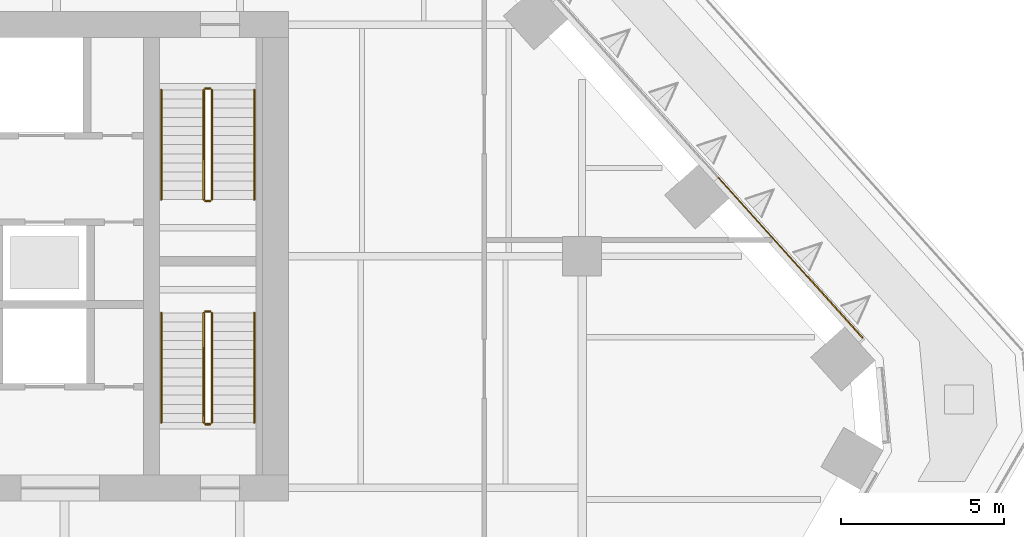
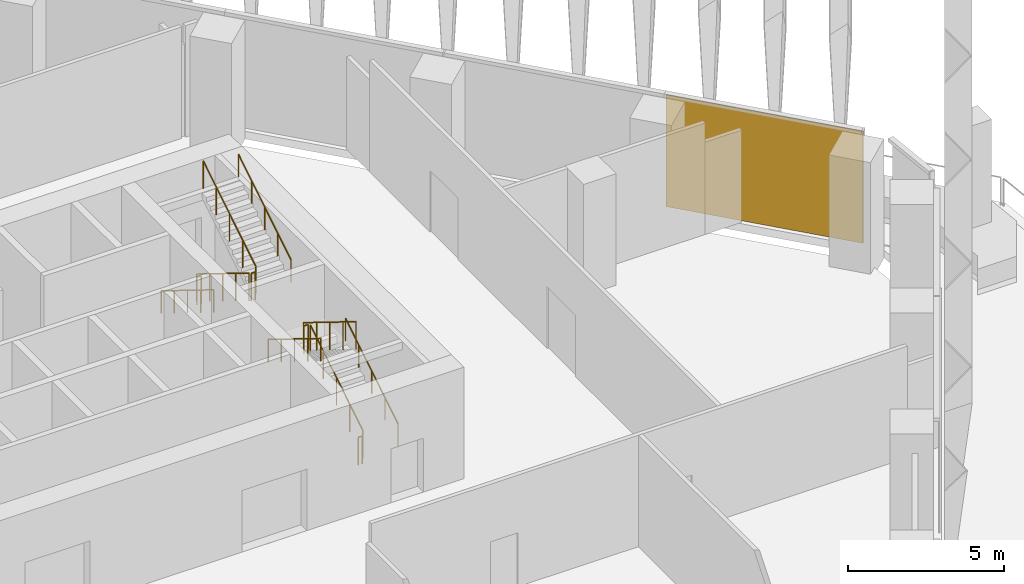
# One storey, part 22 of 27: 12 railings, 1 covering, 1 element without a shape of its own.
"""IFC4 building model written with IfcOpenShell, lengths in metres."""

from ifc_helpers import new_model, si_unit, direction, frame, origin, origin_2d, place, context, subcontext, project, spatial, rectangle, circle, extrude, material, layer, layer_set, type_object, element, aggregate, save


model = new_model("IFC4")

# Units and contexts
model_context = context("Model", 3, precision=1e-05, world=origin(), true_north=direction((0.0, 1.0)))
body_context = subcontext(model_context, "Body", "Model", "MODEL_VIEW")
ifc_project = project(units=[si_unit("LENGTHUNIT", "METRE"), si_unit("AREAUNIT", "SQUARE_METRE"), si_unit("VOLUMEUNIT", "CUBIC_METRE"), si_unit("PLANEANGLEUNIT", "RADIAN"), si_unit("MASSUNIT", "GRAM", prefix="KILO")], contexts=[model_context])

# Site, building, storey
site_placement = place(None, origin())
site = spatial("IfcSite", under=ifc_project, at=site_placement, CompositionType="ELEMENT")
building_placement = place(site_placement, origin())
building = spatial("IfcBuilding", under=site, at=building_placement, Name="Isthmus Gate Tower", CompositionType="ELEMENT")
storey_placement = place(building_placement, frame((0.0, 0.0, 121.64990234375)))
storey = spatial("IfcBuildingStorey", under=building, at=storey_placement, Name="L29", CompositionType="ELEMENT", Elevation=121.64990234375)

# Curtain wall, covering
ifc_material_1 = material(Name="Aluminium, pale champagne anodised", Category="aluminium")
ifc_layer_1 = layer(ifc_material_1, 0.199951171875)
ifc_layer_set_1 = layer_set([ifc_layer_1], Name="CW-1 UNITISED CURTAIN WALL 200 DEEP")
curtain_wall_type = type_object("IfcCurtainWallType", Name="CW-1 UNITISED CURTAIN WALL 200 DEEP", PredefinedType="NOTDEFINED", material=ifc_layer_set_1)
curtain_wall_placement = place(storey_placement, origin())
curtain_wall = element("IfcCurtainWall", 1, at=curtain_wall_placement, inside=storey, type_object=curtain_wall_type, Name="CW-1 NE L29", PredefinedType="NOTDEFINED")
ifc_material_2 = material(Name="Aluminium composite panel, pale champagne anodised", Category="aluminium")
ifc_layer_2 = layer(ifc_material_2, 0.035888671875)
ifc_layer_set_2 = layer_set([ifc_layer_2], Name="CW-1 PALE METAL PANEL 36")
covering_type = type_object("IfcCoveringType", Name="CW-1 PALE METAL PANEL 36", PredefinedType="CLADDING", material=ifc_layer_set_2)
covering_placement = place(storey_placement, frame((30.3916015625, 7.449462890625, 0.0), z_axis=(0.0, 0.0, 1.0), x_axis=(-0.669130606359, 0.743144825477, 0.0)))
covering = element("IfcCovering", 2, at=covering_placement, type_object=covering_type, Name="CW-1 pale metal panel", PredefinedType="CLADDING", context=body_context, shape_type="SweptSolid", body=[
    extrude(rectangle(XDim=6.630859375, YDim=0.035888671875, at=origin_2d()), origin(), (0.0, 0.0, 1.0), 4.360107421875),
])
aggregate(curtain_wall, [covering])

# Railings
ifc_material_3 = material(Name="Stainless steel balustrade", Category="steel")
railing_type_1 = type_object("IfcRailingType", Name="STAIR GUARD 1100", PredefinedType="GUARDRAIL", material=ifc_material_3)
railing_1_placement = place(storey_placement, frame((12.39990234375, 12.60009765625, 0.173095703125)))
element("IfcRailing", 3, at=railing_1_placement, inside=storey, type_object=railing_type_1, Name="L29 ST2 stair guard 1", PredefinedType="GUARDRAIL", context=body_context, shape_type="SweptSolid", body=[
    extrude(circle(Radius=0.02392578125, at=origin_2d()), frame((0.0, 0.0, 1.076171875), z_axis=(0.0, -0.850623216509, 0.525775754039), x_axis=(1.0, 0.0, 0.0)), (0.0, 0.0, 1.0), 3.9501953125),
    extrude(circle(Radius=0.02099609375, at=origin_2d()), origin(), (0.0, 0.0, 1.0), 1.052001953125),
    extrude(circle(Radius=0.02099609375, at=origin_2d()), frame((0.0, -0.840087890625, 0.519287109375)), (0.0, 0.0, 1.0), 1.052001953125),
    extrude(circle(Radius=0.02099609375, at=origin_2d()), frame((0.0, -1.68017578125, 1.03857421875)), (0.0, 0.0, 1.0), 1.052001953125),
    extrude(circle(Radius=0.02099609375, at=origin_2d()), frame((0.0, -2.52001953125, 1.5576171875)), (0.0, 0.0, 1.0), 1.052001953125),
    extrude(circle(Radius=0.02099609375, at=origin_2d()), frame((0.0, -3.360107421875, 2.076904296875)), (0.0, 0.0, 1.0), 1.052001953125),
])
railing_2_placement = place(storey_placement, frame((12.449951171875, 9.18994140625, 2.25)))
element("IfcRailing", 4, at=railing_2_placement, inside=storey, type_object=railing_type_1, Name="L29 ST2 stair guard 2", PredefinedType="GUARDRAIL", context=body_context, shape_type="SweptSolid", body=[
    extrude(circle(Radius=0.02392578125, at=origin_2d()), frame((0.0, 0.0, 1.076171875), z_axis=(1.0, 0.0, 0.0), x_axis=(0.0, 1.0, 0.0)), (0.0, 0.0, 1.0), 0.150146484375),
    extrude(circle(Radius=0.02099609375, at=origin_2d()), origin(), (0.0, 0.0, 1.0), 1.052001953125),
    extrude(circle(Radius=0.02099609375, at=origin_2d()), frame((0.150146484375, 0.0, 0.0)), (0.0, 0.0, 1.0), 1.052001953125),
])
railing_3_placement = place(storey_placement, frame((12.64990234375, 9.239990234375, 2.423095703125)))
element("IfcRailing", 5, at=railing_3_placement, inside=storey, type_object=railing_type_1, Name="L29 ST2 stair guard 3", PredefinedType="GUARDRAIL", context=body_context, shape_type="SweptSolid", body=[
    extrude(circle(Radius=0.02392578125, at=origin_2d()), frame((0.0, 0.0, 1.076171875), z_axis=(0.0, 0.850623216509, 0.525775754039), x_axis=(-1.0, 0.0, 0.0)), (0.0, 0.0, 1.0), 3.9501953125),
    extrude(circle(Radius=0.02099609375, at=origin_2d()), origin(), (0.0, 0.0, 1.0), 1.052001953125),
    extrude(circle(Radius=0.02099609375, at=origin_2d()), frame((0.0, 0.840087890625, 0.519287109375)), (0.0, 0.0, 1.0), 1.052001953125),
    extrude(circle(Radius=0.02099609375, at=origin_2d()), frame((0.0, 1.68017578125, 1.03857421875)), (0.0, 0.0, 1.0), 1.052001953125),
    extrude(circle(Radius=0.02099609375, at=origin_2d()), frame((0.0, 2.52001953125, 1.5576171875)), (0.0, 0.0, 1.0), 1.052001953125),
    extrude(circle(Radius=0.02099609375, at=origin_2d()), frame((0.0, 3.360107421875, 2.076904296875)), (0.0, 0.0, 1.0), 1.052001953125),
])
railing_4_placement = place(storey_placement, frame((12.449951171875, 12.64990234375, 0.0)))
element("IfcRailing", 6, at=railing_4_placement, inside=storey, type_object=railing_type_1, Name="L29 ST2 stair guard 4", PredefinedType="GUARDRAIL", context=body_context, shape_type="SweptSolid", body=[
    extrude(circle(Radius=0.02392578125, at=origin_2d()), frame((0.0, 0.0, 1.076171875), z_axis=(1.0, 0.0, 0.0), x_axis=(0.0, 1.0, 0.0)), (0.0, 0.0, 1.0), 0.150146484375),
    extrude(circle(Radius=0.02099609375, at=origin_2d()), origin(), (0.0, 0.0, 1.0), 1.052001953125),
    extrude(circle(Radius=0.02099609375, at=origin_2d()), frame((0.150146484375, 0.0, 0.0)), (0.0, 0.0, 1.0), 1.052001953125),
])
railing_5_placement = place(storey_placement, frame((12.64990234375, 2.39990234375, 0.173095703125)))
element("IfcRailing", 7, at=railing_5_placement, inside=storey, type_object=railing_type_1, Name="L29 ST8 stair guard 1", PredefinedType="GUARDRAIL", context=body_context, shape_type="SweptSolid", body=[
    extrude(circle(Radius=0.02392578125, at=origin_2d()), frame((0.0, 0.0, 1.076171875), z_axis=(0.0, 0.850623216509, 0.525775754039), x_axis=(-1.0, 0.0, 0.0)), (0.0, 0.0, 1.0), 3.9501953125),
    extrude(circle(Radius=0.02099609375, at=origin_2d()), origin(), (0.0, 0.0, 1.0), 1.052001953125),
    extrude(circle(Radius=0.02099609375, at=origin_2d()), frame((0.0, 0.840087890625, 0.519287109375)), (0.0, 0.0, 1.0), 1.052001953125),
    extrude(circle(Radius=0.02099609375, at=origin_2d()), frame((0.0, 1.68017578125, 1.03857421875)), (0.0, 0.0, 1.0), 1.052001953125),
    extrude(circle(Radius=0.02099609375, at=origin_2d()), frame((0.0, 2.52001953125, 1.5576171875)), (0.0, 0.0, 1.0), 1.052001953125),
    extrude(circle(Radius=0.02099609375, at=origin_2d()), frame((0.0, 3.360107421875, 2.076904296875)), (0.0, 0.0, 1.0), 1.052001953125),
])
railing_6_placement = place(storey_placement, frame((12.60009765625, 5.81005859375, 2.25)))
element("IfcRailing", 8, at=railing_6_placement, inside=storey, type_object=railing_type_1, Name="L29 ST8 stair guard 2", PredefinedType="GUARDRAIL", context=body_context, shape_type="SweptSolid", body=[
    extrude(circle(Radius=0.02392578125, at=origin_2d()), frame((0.0, 0.0, 1.076171875), z_axis=(-1.0, 0.0, 0.0), x_axis=(0.0, -1.0, 0.0)), (0.0, 0.0, 1.0), 0.150146484375),
    extrude(circle(Radius=0.02099609375, at=origin_2d()), origin(), (0.0, 0.0, 1.0), 1.052001953125),
    extrude(circle(Radius=0.02099609375, at=origin_2d()), frame((-0.150146484375, 0.0, 0.0)), (0.0, 0.0, 1.0), 1.052001953125),
])
railing_7_placement = place(storey_placement, frame((12.39990234375, 5.760009765625, 2.423095703125)))
element("IfcRailing", 9, at=railing_7_placement, inside=storey, type_object=railing_type_1, Name="L29 ST8 stair guard 3", PredefinedType="GUARDRAIL", context=body_context, shape_type="SweptSolid", body=[
    extrude(circle(Radius=0.02392578125, at=origin_2d()), frame((0.0, 0.0, 1.076171875), z_axis=(0.0, -0.850623216509, 0.525775754039), x_axis=(1.0, 0.0, 0.0)), (0.0, 0.0, 1.0), 3.9501953125),
    extrude(circle(Radius=0.02099609375, at=origin_2d()), origin(), (0.0, 0.0, 1.0), 1.052001953125),
    extrude(circle(Radius=0.02099609375, at=origin_2d()), frame((0.0, -0.840087890625, 0.519287109375)), (0.0, 0.0, 1.0), 1.052001953125),
    extrude(circle(Radius=0.02099609375, at=origin_2d()), frame((0.0, -1.68017578125, 1.03857421875)), (0.0, 0.0, 1.0), 1.052001953125),
    extrude(circle(Radius=0.02099609375, at=origin_2d()), frame((0.0, -2.52001953125, 1.5576171875)), (0.0, 0.0, 1.0), 1.052001953125),
    extrude(circle(Radius=0.02099609375, at=origin_2d()), frame((0.0, -3.360107421875, 2.076904296875)), (0.0, 0.0, 1.0), 1.052001953125),
])
railing_8_placement = place(storey_placement, frame((12.60009765625, 2.35009765625, 0.0)))
element("IfcRailing", 10, at=railing_8_placement, inside=storey, type_object=railing_type_1, Name="L29 ST8 stair guard 4", PredefinedType="GUARDRAIL", context=body_context, shape_type="SweptSolid", body=[
    extrude(circle(Radius=0.02392578125, at=origin_2d()), frame((0.0, 0.0, 1.076171875), z_axis=(-1.0, 0.0, 0.0), x_axis=(0.0, -1.0, 0.0)), (0.0, 0.0, 1.0), 0.150146484375),
    extrude(circle(Radius=0.02099609375, at=origin_2d()), origin(), (0.0, 0.0, 1.0), 1.052001953125),
    extrude(circle(Radius=0.02099609375, at=origin_2d()), frame((-0.150146484375, 0.0, 0.0)), (0.0, 0.0, 1.0), 1.052001953125),
])
ifc_material_4 = material(Name="Stainless steel handrail", Category="steel")
railing_type_2 = type_object("IfcRailingType", Name="STAIR HANDRAIL 900", PredefinedType="HANDRAIL", material=ifc_material_4)
railing_9_placement = place(storey_placement, frame((11.10009765625, 12.60009765625, 0.173095703125)))
element("IfcRailing", 11, at=railing_9_placement, inside=storey, type_object=railing_type_2, Name="L29 ST2 stair handrail 1", PredefinedType="HANDRAIL", context=body_context, shape_type="SweptSolid", body=[
    extrude(circle(Radius=0.02392578125, at=origin_2d()), frame((0.0, 0.0, 0.8759765625), z_axis=(0.0, -0.850623216509, 0.525775754039), x_axis=(1.0, 0.0, 0.0)), (0.0, 0.0, 1.0), 3.9501953125),
    extrude(circle(Radius=0.02099609375, at=origin_2d()), origin(), (0.0, 0.0, 1.0), 0.851806640625),
    extrude(circle(Radius=0.02099609375, at=origin_2d()), frame((0.0, -0.840087890625, 0.519287109375)), (0.0, 0.0, 1.0), 0.851806640625),
    extrude(circle(Radius=0.02099609375, at=origin_2d()), frame((0.0, -1.68017578125, 1.03857421875)), (0.0, 0.0, 1.0), 0.851806640625),
    extrude(circle(Radius=0.02099609375, at=origin_2d()), frame((0.0, -2.52001953125, 1.5576171875)), (0.0, 0.0, 1.0), 0.851806640625),
    extrude(circle(Radius=0.02099609375, at=origin_2d()), frame((0.0, -3.360107421875, 2.076904296875)), (0.0, 0.0, 1.0), 0.851806640625),
])
for number, where, name in (
    (12, (13.949951171875, 9.239990234375, 2.423095703125), "L29 ST2 stair handrail 2"),
    (13, (13.949951171875, 2.39990234375, 0.173095703125), "L29 ST8 stair handrail 1"),
):
    element("IfcRailing", number, at=place(storey_placement, frame(where)), inside=storey, type_object=railing_type_2, Name=name, PredefinedType="HANDRAIL", context=body_context, shape_type="SweptSolid", body=[
        extrude(circle(Radius=0.02392578125, at=origin_2d()), frame((0.0, 0.0, 0.8759765625), z_axis=(0.0, 0.850623216509, 0.525775754039), x_axis=(-1.0, 0.0, 0.0)), (0.0, 0.0, 1.0), 3.9501953125),
        extrude(circle(Radius=0.02099609375, at=origin_2d()), origin(), (0.0, 0.0, 1.0), 0.851806640625),
        extrude(circle(Radius=0.02099609375, at=origin_2d()), frame((0.0, 0.840087890625, 0.519287109375)), (0.0, 0.0, 1.0), 0.851806640625),
        extrude(circle(Radius=0.02099609375, at=origin_2d()), frame((0.0, 1.68017578125, 1.03857421875)), (0.0, 0.0, 1.0), 0.851806640625),
        extrude(circle(Radius=0.02099609375, at=origin_2d()), frame((0.0, 2.52001953125, 1.5576171875)), (0.0, 0.0, 1.0), 0.851806640625),
        extrude(circle(Radius=0.02099609375, at=origin_2d()), frame((0.0, 3.360107421875, 2.076904296875)), (0.0, 0.0, 1.0), 0.851806640625),
    ])
railing_10_placement = place(storey_placement, frame((11.10009765625, 5.760009765625, 2.423095703125)))
element("IfcRailing", 14, at=railing_10_placement, inside=storey, type_object=railing_type_2, Name="L29 ST8 stair handrail 2", PredefinedType="HANDRAIL", context=body_context, shape_type="SweptSolid", body=[
    extrude(circle(Radius=0.02392578125, at=origin_2d()), frame((0.0, 0.0, 0.8759765625), z_axis=(0.0, -0.850623216509, 0.525775754039), x_axis=(1.0, 0.0, 0.0)), (0.0, 0.0, 1.0), 3.9501953125),
    extrude(circle(Radius=0.02099609375, at=origin_2d()), origin(), (0.0, 0.0, 1.0), 0.851806640625),
    extrude(circle(Radius=0.02099609375, at=origin_2d()), frame((0.0, -0.840087890625, 0.519287109375)), (0.0, 0.0, 1.0), 0.851806640625),
    extrude(circle(Radius=0.02099609375, at=origin_2d()), frame((0.0, -1.68017578125, 1.03857421875)), (0.0, 0.0, 1.0), 0.851806640625),
    extrude(circle(Radius=0.02099609375, at=origin_2d()), frame((0.0, -2.52001953125, 1.5576171875)), (0.0, 0.0, 1.0), 0.851806640625),
    extrude(circle(Radius=0.02099609375, at=origin_2d()), frame((0.0, -3.360107421875, 2.076904296875)), (0.0, 0.0, 1.0), 0.851806640625),
])

save(model, "model.ifc")
